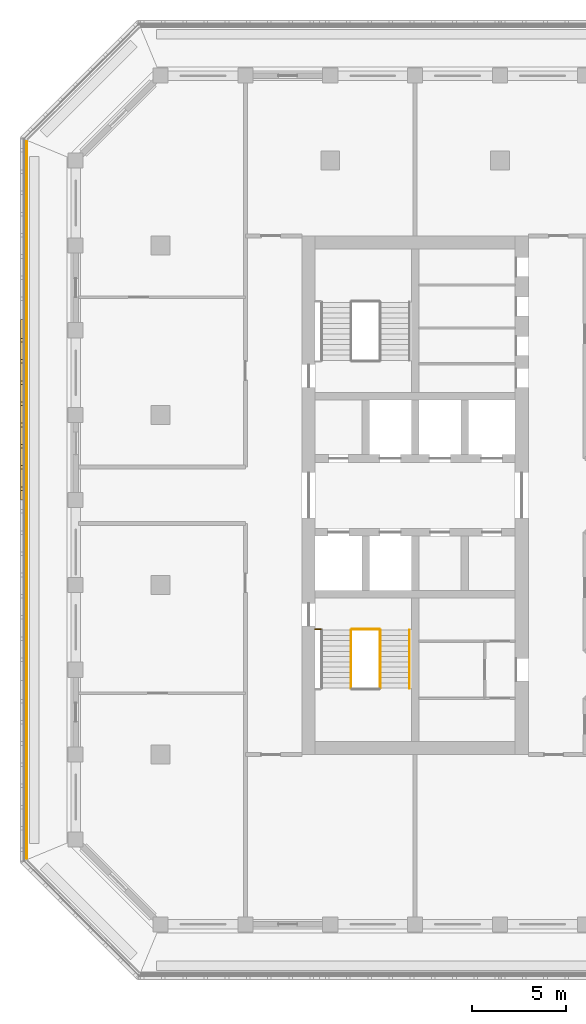
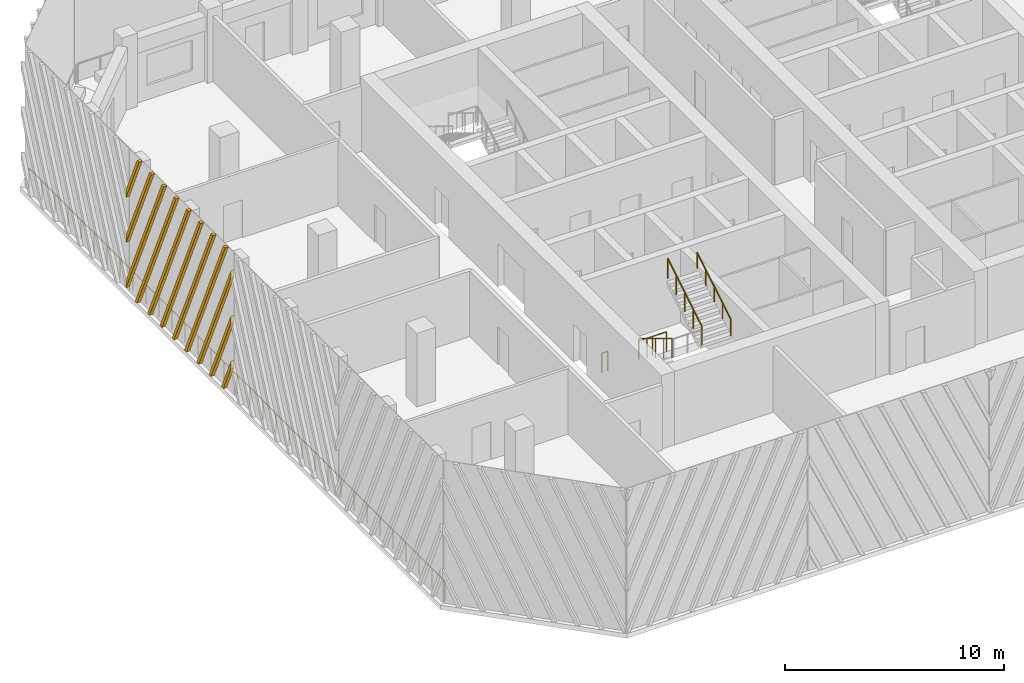
# One storey, part 10 of 15: 6 railings, 1 shading device.
"""IFC4 building model written with IfcOpenShell, lengths in metres."""

import ifcopenshell
import ifcopenshell.guid

model = None  # the IFC model being written
_history = None  # IfcOwnerHistory: only IFC2X3 demands one
_inside = {}  # id of a spatial element -> (the spatial element, [elements in it])
_under = {}  # id of a project, library or spatial element -> (it, [spatial elements below it])
_declared = {}  # id of a project -> (the project, [libraries it declares])
_typed = {}  # id of a type object -> (the type object, [elements of that type])
_made_of = {}  # id of a material, layer set ... -> (it, [elements and type objects made of it])


def new_model(schema):
    """Start an empty IFC model of exactly this schema.

    Asked for "IFC4X3", IfcOpenShell would pick the latest addendum, in which some entities
    have other attributes; the version numbers below select the first issue.
    IFC2X3 requires an IfcOwnerHistory on every rooted entity: one is made here for all.
    """
    global model, _history
    if schema == "IFC4X3":
        model = ifcopenshell.file(schema_version=(4, 3, 0, 0))
    else:
        model = ifcopenshell.file(schema=schema)
    _inside.clear()
    _under.clear()
    _declared.clear()
    _typed.clear()
    _made_of.clear()
    _history = None
    if model.schema == "IFC2X3":
        org = make("IfcOrganization", Name="unknown")
        user = make(
            "IfcPersonAndOrganization",
            ThePerson=make("IfcPerson", FamilyName="unknown"),
            TheOrganization=org,
        )
        app = make(
            "IfcApplication",
            ApplicationDeveloper=org,
            Version="unknown",
            ApplicationFullName="unknown",
            ApplicationIdentifier="unknown",
        )
        _history = make(
            "IfcOwnerHistory",
            OwningUser=user,
            OwningApplication=app,
            ChangeAction="ADDED",
            CreationDate=0,
        )
    return model


def make(cls, **values):
    """One entity of the class cls with the attributes given. An attribute that is None is left unset."""
    return model.create_entity(
        cls, **{name: value for name, value in values.items() if value is not None}
    )


def rooted(cls, **values):
    """An entity with a GlobalId (a new one), such as an element, a storey or a relation."""
    return make(cls, GlobalId=ifcopenshell.guid.new(), OwnerHistory=_history, **values)


def si_unit(unit_type, name, prefix=None):
    """IfcSIUnit, for example si_unit("LENGTHUNIT", "METRE", prefix="MILLI")."""
    return make("IfcSIUnit", UnitType=unit_type, Prefix=prefix, Name=name)


def assignment(units):
    """IfcUnitAssignment: the units of a project."""
    return None if units is None else make("IfcUnitAssignment", Units=units)


def point(xyz):
    """IfcCartesianPoint."""
    return None if xyz is None else make("IfcCartesianPoint", Coordinates=xyz)


def direction(xyz):
    """IfcDirection."""
    return None if xyz is None else make("IfcDirection", DirectionRatios=xyz)


def frame(location, z_axis=None, x_axis=None):
    """IfcAxis2Placement3D, a coordinate frame: its origin and axes. An axis left out is left unset."""
    return make(
        "IfcAxis2Placement3D",
        Location=point(location),
        Axis=direction(z_axis),
        RefDirection=direction(x_axis),
    )


def frame_2d(location, x_axis=None):
    """IfcAxis2Placement2D, a coordinate frame in the plane: its origin and x axis."""
    return make(
        "IfcAxis2Placement2D", Location=point(location), RefDirection=direction(x_axis)
    )


def origin():
    """The frame at (0, 0, 0) with its axes left unset."""
    return frame((0.0, 0.0, 0.0))


def origin_2d():
    """The frame at (0, 0) in the plane with its x axis left unset."""
    return frame_2d((0.0, 0.0))


def place(relative_to, where):
    """IfcLocalPlacement: puts the frame where relative to a parent placement (None: the world)."""
    return make(
        "IfcLocalPlacement", PlacementRelTo=relative_to, RelativePlacement=where
    )


def context(
    kind, dimensions, precision=None, world=None, true_north=None, identifier=None
):
    """IfcGeometricRepresentationContext, for example the 3D "Model" context."""
    return make(
        "IfcGeometricRepresentationContext",
        ContextIdentifier=identifier,
        ContextType=kind,
        CoordinateSpaceDimension=dimensions,
        Precision=precision,
        WorldCoordinateSystem=world,
        TrueNorth=true_north,
    )


def subcontext(parent, identifier, kind, view, scale=None):
    """IfcGeometricRepresentationSubContext, for example "Body" below "Model"."""
    return make(
        "IfcGeometricRepresentationSubContext",
        ContextIdentifier=identifier,
        ContextType=kind,
        ParentContext=parent,
        TargetScale=scale,
        TargetView=view,
    )


def project(units=None, contexts=None):
    """IfcProject with its units and contexts."""
    return rooted(
        "IfcProject",
        Name="project",
        RepresentationContexts=contexts,
        UnitsInContext=assignment(units),
    )


def spatial(cls, under=None, at=None, **own):
    """A site, building, storey or space (cls), placed at a placement, below another one or the project."""
    s = rooted(cls, ObjectPlacement=at, **own)
    if under is not None:
        _under.setdefault(under.id(), (under, []))[1].append(s)
    return s


def polyline(points):
    """IfcPolyline through the points."""
    return make("IfcPolyline", Points=[point(p) for p in points])


def profile(cls, at=None, kind="AREA", **sizes):
    """A parametric profile (cls). Its sizes go by their IFC names, for example OverallWidth=200.0."""
    return make(cls, ProfileType=kind, Position=at, **sizes)


def circle(**sizes):
    """IfcCircleProfileDef."""
    return profile("IfcCircleProfileDef", **sizes)


def outline(outer, holes=None, kind="AREA"):
    """IfcArbitraryClosedProfileDef: a profile drawn as a closed curve; with holes, ...WithVoids."""
    if holes is None:
        return make("IfcArbitraryClosedProfileDef", ProfileType=kind, OuterCurve=outer)
    return make(
        "IfcArbitraryProfileDefWithVoids",
        ProfileType=kind,
        OuterCurve=outer,
        InnerCurves=holes,
    )


def extrude(swept, where, along, depth):
    """IfcExtrudedAreaSolid: the profile swept, set in the frame where, extruded along a direction by depth."""
    return make(
        "IfcExtrudedAreaSolid",
        SweptArea=swept,
        Position=where,
        ExtrudedDirection=direction(along),
        Depth=depth,
    )


def shape(context_of_items, identifier, shape_type, items):
    """IfcShapeRepresentation: the items that make up one representation, for example the "Body"."""
    return make(
        "IfcShapeRepresentation",
        ContextOfItems=context_of_items,
        RepresentationIdentifier=identifier,
        RepresentationType=shape_type,
        Items=items,
    )


def source(mapping_origin, context_of_items, identifier, shape_type, items):
    """IfcRepresentationMap: a shape defined once, which mapped items show again and again."""
    return make(
        "IfcRepresentationMap",
        MappingOrigin=mapping_origin,
        MappedRepresentation=shape(context_of_items, identifier, shape_type, items),
    )


def transform(
    local_origin,
    x_axis=None,
    y_axis=None,
    z_axis=None,
    scale=None,
    scale2=None,
    scale3=None,
    uniform=True,
):
    """IfcCartesianTransformationOperator3D, or its non-uniform kind. x_axis, y_axis, z_axis: its Axis1, 2, 3."""
    if uniform:
        return make(
            "IfcCartesianTransformationOperator3D",
            Axis1=direction(x_axis),
            Axis2=direction(y_axis),
            LocalOrigin=point(local_origin),
            Scale=scale,
            Axis3=direction(z_axis),
        )
    return make(
        "IfcCartesianTransformationOperator3DnonUniform",
        Axis1=direction(x_axis),
        Axis2=direction(y_axis),
        LocalOrigin=point(local_origin),
        Scale=scale,
        Axis3=direction(z_axis),
        Scale2=scale2,
        Scale3=scale3,
    )


def mapped(mapping_source, mapping_target):
    """IfcMappedItem: shows the shape of a source again, moved by a transform."""
    return make(
        "IfcMappedItem", MappingSource=mapping_source, MappingTarget=mapping_target
    )


def material(Name=None, Category=None):
    """IfcMaterial."""
    return make("IfcMaterial", Name=Name, Category=Category)


def made_of(thing, what):
    """Note that an element or type object is made of a material, layer set ...; save() writes the relation."""
    if what is not None:
        _made_of.setdefault(what.id(), (what, []))[1].append(thing)
    return thing


def type_object(cls, material=None, **own):
    """A type object (cls), such as IfcWallType, which elements share."""
    return made_of(rooted(cls, **own), material)


def element(
    cls,
    number,
    at=None,
    inside=None,
    cuts=None,
    type_object=None,
    material=None,
    context=None,
    identifier="Body",
    shape_type=None,
    held_by="IfcProductDefinitionShape",
    body=None,
    shapes=None,
    **own,
):
    """One element of the class cls, such as IfcWall. Its Tag is "e" and its number.

    at: its placement. inside: the storey or other place that contains it. cuts: it is an
    opening in that element (IfcRelVoidsElement). A single representation is given by context,
    identifier, shape_type and body (its items); several are given by shapes. held_by: the class
    of the entity that holds the representations. save() writes the other relations.
    """
    e = rooted(cls, Tag="e%d" % number, ObjectPlacement=at, **own)
    if body is not None:
        shapes = [shape(context, identifier, shape_type, body)]
    if shapes is not None:
        e.Representation = make(held_by, Representations=shapes)
    if inside is not None:
        _inside.setdefault(inside.id(), (inside, []))[1].append(e)
    if cuts is not None:
        rooted(
            "IfcRelVoidsElement", RelatingBuildingElement=cuts, RelatedOpeningElement=e
        )
    if type_object is not None:
        _typed.setdefault(type_object.id(), (type_object, []))[1].append(e)
    return made_of(e, material)


def aggregate(whole, parts):
    """IfcRelAggregates: a whole, such as a stair, and the parts it consists of."""
    return rooted("IfcRelAggregates", RelatingObject=whole, RelatedObjects=parts)


def save(model, path):
    """Write the relations noted so far, then the file.

    IfcRelAggregates (storeys below a building ...), IfcRelContainedInSpatialStructure (elements
    in a storey), IfcRelDefinesByType, IfcRelAssociatesMaterial and IfcRelDeclares: one each for
    every whole, place, type object, material and project.
    """
    for whole, parts in _under.values():
        aggregate(whole, parts)
    for where, things in _inside.values():
        rooted(
            "IfcRelContainedInSpatialStructure",
            RelatedElements=things,
            RelatingStructure=where,
        )
    for kind, things in _typed.values():
        rooted("IfcRelDefinesByType", RelatedObjects=things, RelatingType=kind)
    for what, things in _made_of.values():
        rooted("IfcRelAssociatesMaterial", RelatedObjects=things, RelatingMaterial=what)
    for by, libraries in _declared.values():
        rooted("IfcRelDeclares", RelatingContext=by, RelatedDefinitions=libraries)
    model.write(path)


model = new_model("IFC4")

# Units and contexts
model_context = context("Model", 3, precision=1e-05, world=origin(), true_north=direction((0.0, 1.0)))
body_context = subcontext(model_context, "Body", "Model", "MODEL_VIEW")
ifc_project = project(units=[si_unit("LENGTHUNIT", "METRE"), si_unit("AREAUNIT", "SQUARE_METRE"), si_unit("VOLUMEUNIT", "CUBIC_METRE"), si_unit("PLANEANGLEUNIT", "RADIAN"), si_unit("MASSUNIT", "GRAM", prefix="KILO")], contexts=[model_context])

# Site, building, storey
site_placement = place(None, origin())
site = spatial("IfcSite", under=ifc_project, at=site_placement, CompositionType="ELEMENT")
building_placement = place(site_placement, origin())
building = spatial("IfcBuilding", under=site, at=building_placement, Name="Corbel Stack Research Tower", CompositionType="ELEMENT")
storey_placement = place(building_placement, frame((0.0, 0.0, 274.5)))
storey = spatial("IfcBuildingStorey", under=building, at=storey_placement, Name="L62", CompositionType="ELEMENT", Elevation=274.5)

# Railings
ifc_material_1 = material(Name="Steel S355", Category="steel")
railing_type_1 = type_object("IfcRailingType", Name="Stair guard 1100", PredefinedType="GUARDRAIL", material=ifc_material_1)
railing_1_placement = place(storey_placement, frame((-7.89990234375, -2.39990234375, 0.1708984375)))
element("IfcRailing", 1, at=railing_1_placement, inside=storey, type_object=railing_type_1, Name="L62 ST-W1 stair guard 1", PredefinedType="GUARDRAIL", context=body_context, shape_type="SweptSolid", body=[
    extrude(circle(Radius=0.02392578125, at=origin_2d()), frame((0.0, 0.0, 1.076171875), z_axis=(0.0, -0.853666305674, 0.52082035152), x_axis=(1.0, 0.0, 0.0)), (0.0, 0.0, 1.0), 3.608154296875),
    extrude(circle(Radius=0.02099609375, at=origin_2d()), origin(), (0.0, 0.0, 1.0), 1.052001953125),
    extrude(circle(Radius=0.02099609375, at=origin_2d()), frame((0.0, -0.77001953125, 0.4697265625)), (0.0, 0.0, 1.0), 1.052001953125),
    extrude(circle(Radius=0.02099609375, at=origin_2d()), frame((0.0, -1.5400390625, 0.939453125)), (0.0, 0.0, 1.0), 1.052001953125),
    extrude(circle(Radius=0.02099609375, at=origin_2d()), frame((0.0, -2.31005859375, 1.409423828125)), (0.0, 0.0, 1.0), 1.052001953125),
    extrude(circle(Radius=0.02099609375, at=origin_2d()), frame((0.0, -3.080078125, 1.879150390625)), (0.0, 0.0, 1.0), 1.052001953125),
])
railing_2_placement = place(storey_placement, frame((-6.35009765625, -5.47998046875, 2.220947265625)))
element("IfcRailing", 2, at=railing_2_placement, inside=storey, type_object=railing_type_1, Name="L62 ST-W1 stair guard 4", PredefinedType="GUARDRAIL", context=body_context, shape_type="SweptSolid", body=[
    extrude(circle(Radius=0.02392578125, at=origin_2d()), frame((0.0, 0.0, 1.076171875), z_axis=(0.0, 0.853666305674, 0.52082035152), x_axis=(-1.0, 0.0, 0.0)), (0.0, 0.0, 1.0), 3.608154296875),
    extrude(circle(Radius=0.02099609375, at=origin_2d()), origin(), (0.0, 0.0, 1.0), 1.052001953125),
    extrude(circle(Radius=0.02099609375, at=origin_2d()), frame((0.0, 0.77001953125, 0.4697265625)), (0.0, 0.0, 1.0), 1.052001953125),
    extrude(circle(Radius=0.02099609375, at=origin_2d()), frame((0.0, 1.5400390625, 0.939453125)), (0.0, 0.0, 1.0), 1.052001953125),
    extrude(circle(Radius=0.02099609375, at=origin_2d()), frame((0.0, 2.31005859375, 1.409423828125)), (0.0, 0.0, 1.0), 1.052001953125),
    extrude(circle(Radius=0.02099609375, at=origin_2d()), frame((0.0, 3.080078125, 1.879150390625)), (0.0, 0.0, 1.0), 1.052001953125),
])
railing_3_placement = place(storey_placement, frame((-7.85009765625, -2.35009765625, 0.0)))
element("IfcRailing", 3, at=railing_3_placement, inside=storey, type_object=railing_type_1, Name="L62 ST-W1 stair guard 5", PredefinedType="GUARDRAIL", context=body_context, shape_type="SweptSolid", body=[
    extrude(circle(Radius=0.02392578125, at=origin_2d()), frame((0.0, 0.0, 1.076171875), z_axis=(1.0, 0.0, 0.0), x_axis=(0.0, 1.0, 0.0)), (0.0, 0.0, 1.0), 1.4501953125),
    extrude(circle(Radius=0.02099609375, at=origin_2d()), origin(), (0.0, 0.0, 1.0), 1.052001953125),
    extrude(circle(Radius=0.02099609375, at=origin_2d()), frame((0.72509765625, 0.0, 0.0)), (0.0, 0.0, 1.0), 1.052001953125),
    extrude(circle(Radius=0.02099609375, at=origin_2d()), frame((1.4501953125, 0.0, 0.0)), (0.0, 0.0, 1.0), 1.052001953125),
])
railing_4_placement = place(storey_placement, frame((-9.800048828125, -2.35009765625, 0.0)))
element("IfcRailing", 4, at=railing_4_placement, inside=storey, type_object=railing_type_1, Name="L62 ST-W1 stair guard 6", PredefinedType="GUARDRAIL", context=body_context, shape_type="SweptSolid", body=[
    extrude(circle(Radius=0.02392578125, at=origin_2d()), frame((0.0, 0.0, 1.076171875), z_axis=(1.0, 0.0, 0.0), x_axis=(0.0, 1.0, 0.0)), (0.0, 0.0, 1.0), 0.300048828125),
    extrude(circle(Radius=0.02099609375, at=origin_2d()), origin(), (0.0, 0.0, 1.0), 1.052001953125),
    extrude(circle(Radius=0.02099609375, at=origin_2d()), frame((0.300048828125, 0.0, 0.0)), (0.0, 0.0, 1.0), 1.052001953125),
])
ifc_material_2 = material(Name="Steel S355", Category="steel")
railing_type_2 = type_object("IfcRailingType", Name="Stair handrail 900", PredefinedType="HANDRAIL", material=ifc_material_2)
railing_5_placement = place(storey_placement, frame((-4.800048828125, -5.47998046875, 2.220947265625)))
element("IfcRailing", 5, at=railing_5_placement, inside=storey, type_object=railing_type_2, Name="L62 ST-W1 stair handrail 2", PredefinedType="HANDRAIL", context=body_context, shape_type="SweptSolid", body=[
    extrude(circle(Radius=0.02392578125, at=origin_2d()), frame((0.0, 0.0, 0.8759765625), z_axis=(0.0, 0.853666305674, 0.52082035152), x_axis=(-1.0, 0.0, 0.0)), (0.0, 0.0, 1.0), 3.608154296875),
    extrude(circle(Radius=0.02099609375, at=origin_2d()), origin(), (0.0, 0.0, 1.0), 0.851806640625),
    extrude(circle(Radius=0.02099609375, at=origin_2d()), frame((0.0, 0.77001953125, 0.4697265625)), (0.0, 0.0, 1.0), 0.851806640625),
    extrude(circle(Radius=0.02099609375, at=origin_2d()), frame((0.0, 1.5400390625, 0.939453125)), (0.0, 0.0, 1.0), 0.851806640625),
    extrude(circle(Radius=0.02099609375, at=origin_2d()), frame((0.0, 2.31005859375, 1.409423828125)), (0.0, 0.0, 1.0), 0.851806640625),
    extrude(circle(Radius=0.02099609375, at=origin_2d()), frame((0.0, 3.080078125, 1.879150390625)), (0.0, 0.0, 1.0), 0.851806640625),
])
ifc_material_3 = material(Name="Powder-coated steel guard", Category="steel")
railing_type_3 = type_object("IfcRailingType", Name="Steel and glass guard 1100", PredefinedType="GUARDRAIL", material=ifc_material_3)
railing_6_placement = place(storey_placement, frame((-25.10009765625, 23.50537109375, 0.0)))
element("IfcRailing", 6, at=railing_6_placement, inside=storey, type_object=railing_type_3, Name="Loggia guard L62 W", PredefinedType="GUARDRAIL", context=body_context, shape_type="SweptSolid", body=[
    extrude(circle(Radius=0.02392578125, at=origin_2d()), frame((0.0, 0.0, 1.076171875), z_axis=(0.0, -1.0, 0.0), x_axis=(1.0, 0.0, 0.0)), (0.0, 0.0, 1.0), 38.0107421875),
    extrude(circle(Radius=0.02099609375, at=origin_2d()), origin(), (0.0, 0.0, 1.0), 1.052001953125),
    extrude(circle(Radius=0.02099609375, at=origin_2d()), frame((0.0, -1.187744140625, 0.0)), (0.0, 0.0, 1.0), 1.052001953125),
    extrude(circle(Radius=0.02099609375, at=origin_2d()), frame((0.0, -2.375732421875, 0.0)), (0.0, 0.0, 1.0), 1.052001953125),
    extrude(circle(Radius=0.02099609375, at=origin_2d()), frame((0.0, -3.5634765625, 0.0)), (0.0, 0.0, 1.0), 1.052001953125),
    extrude(circle(Radius=0.02099609375, at=origin_2d()), frame((0.0, -4.75146484375, 0.0)), (0.0, 0.0, 1.0), 1.052001953125),
    extrude(circle(Radius=0.02099609375, at=origin_2d()), frame((0.0, -5.939208984375, 0.0)), (0.0, 0.0, 1.0), 1.052001953125),
    extrude(circle(Radius=0.02099609375, at=origin_2d()), frame((0.0, -7.126953125, 0.0)), (0.0, 0.0, 1.0), 1.052001953125),
    extrude(circle(Radius=0.02099609375, at=origin_2d()), frame((0.0, -8.31494140625, 0.0)), (0.0, 0.0, 1.0), 1.052001953125),
    extrude(circle(Radius=0.02099609375, at=origin_2d()), frame((0.0, -9.502685546875, 0.0)), (0.0, 0.0, 1.0), 1.052001953125),
    extrude(circle(Radius=0.02099609375, at=origin_2d()), frame((0.0, -10.6904296875, 0.0)), (0.0, 0.0, 1.0), 1.052001953125),
    extrude(circle(Radius=0.02099609375, at=origin_2d()), frame((0.0, -11.87841796875, 0.0)), (0.0, 0.0, 1.0), 1.052001953125),
    extrude(circle(Radius=0.02099609375, at=origin_2d()), frame((0.0, -13.066162109375, 0.0)), (0.0, 0.0, 1.0), 1.052001953125),
    extrude(circle(Radius=0.02099609375, at=origin_2d()), frame((0.0, -14.25390625, 0.0)), (0.0, 0.0, 1.0), 1.052001953125),
    extrude(circle(Radius=0.02099609375, at=origin_2d()), frame((0.0, -15.44189453125, 0.0)), (0.0, 0.0, 1.0), 1.052001953125),
    extrude(circle(Radius=0.02099609375, at=origin_2d()), frame((0.0, -16.629638671875, 0.0)), (0.0, 0.0, 1.0), 1.052001953125),
    extrude(circle(Radius=0.02099609375, at=origin_2d()), frame((0.0, -17.817626953125, 0.0)), (0.0, 0.0, 1.0), 1.052001953125),
    extrude(circle(Radius=0.02099609375, at=origin_2d()), frame((0.0, -19.00537109375, 0.0)), (0.0, 0.0, 1.0), 1.052001953125),
    extrude(circle(Radius=0.02099609375, at=origin_2d()), frame((0.0, -20.193115234375, 0.0)), (0.0, 0.0, 1.0), 1.052001953125),
    extrude(circle(Radius=0.02099609375, at=origin_2d()), frame((0.0, -21.381103515625, 0.0)), (0.0, 0.0, 1.0), 1.052001953125),
    extrude(circle(Radius=0.02099609375, at=origin_2d()), frame((0.0, -22.56884765625, 0.0)), (0.0, 0.0, 1.0), 1.052001953125),
    extrude(circle(Radius=0.02099609375, at=origin_2d()), frame((0.0, -23.7568359375, 0.0)), (0.0, 0.0, 1.0), 1.052001953125),
    extrude(circle(Radius=0.02099609375, at=origin_2d()), frame((0.0, -24.944580078125, 0.0)), (0.0, 0.0, 1.0), 1.052001953125),
    extrude(circle(Radius=0.02099609375, at=origin_2d()), frame((0.0, -26.13232421875, 0.0)), (0.0, 0.0, 1.0), 1.052001953125),
    extrude(circle(Radius=0.02099609375, at=origin_2d()), frame((0.0, -27.3203125, 0.0)), (0.0, 0.0, 1.0), 1.052001953125),
    extrude(circle(Radius=0.02099609375, at=origin_2d()), frame((0.0, -28.508056640625, 0.0)), (0.0, 0.0, 1.0), 1.052001953125),
    extrude(circle(Radius=0.02099609375, at=origin_2d()), frame((0.0, -29.69580078125, 0.0)), (0.0, 0.0, 1.0), 1.052001953125),
    extrude(circle(Radius=0.02099609375, at=origin_2d()), frame((0.0, -30.8837890625, 0.0)), (0.0, 0.0, 1.0), 1.052001953125),
    extrude(circle(Radius=0.02099609375, at=origin_2d()), frame((0.0, -32.071533203125, 0.0)), (0.0, 0.0, 1.0), 1.052001953125),
    extrude(circle(Radius=0.02099609375, at=origin_2d()), frame((0.0, -33.25927734375, 0.0)), (0.0, 0.0, 1.0), 1.052001953125),
    extrude(circle(Radius=0.02099609375, at=origin_2d()), frame((0.0, -34.447265625, 0.0)), (0.0, 0.0, 1.0), 1.052001953125),
    extrude(circle(Radius=0.02099609375, at=origin_2d()), frame((0.0, -35.635009765625, 0.0)), (0.0, 0.0, 1.0), 1.052001953125),
    extrude(circle(Radius=0.02099609375, at=origin_2d()), frame((0.0, -36.822998046875, 0.0)), (0.0, 0.0, 1.0), 1.052001953125),
    extrude(circle(Radius=0.02099609375, at=origin_2d()), frame((0.0, -38.0107421875, 0.0)), (0.0, 0.0, 1.0), 1.052001953125),
])

# Shading device
ifc_material_4 = material(Name="Precast terracotta", Category="masonry")
shading_device_type = type_object("IfcShadingDeviceType", Name="Terracotta screen panel", PredefinedType="USERDEFINED", material=ifc_material_4)
shared_shape = source(origin(), body_context, "Body", "SweptSolid", [
    extrude(outline(polyline([(1.18701171875, 7.949951171875), (0.9970703125, 7.949951171875), (0.0, 5.710693359375), (0.0, 5.283935546875), (1.18701171875, 7.949951171875)])), frame((0.0, 0.0, 0.0), z_axis=(0.0, -1.0, 0.0), x_axis=(1.0, 0.0, 0.0)), (0.0, 0.0, 1.0), 0.179931640625),
    extrude(outline(polyline([(2.31201171875, 7.949951171875), (2.1220703125, 7.949951171875), (0.0, 3.18408203125), (0.0, 2.757080078125), (2.31201171875, 7.949951171875)])), frame((0.0, 0.0, 0.0), z_axis=(0.0, -1.0, 0.0), x_axis=(1.0, 0.0, 0.0)), (0.0, 0.0, 1.0), 0.179931640625),
    extrude(outline(polyline([(3.43701171875, 7.949951171875), (3.2470703125, 7.949951171875), (0.0, 0.6572265625), (0.0, 0.23046875), (3.43701171875, 7.949951171875)])), frame((0.0, 0.0, 0.0), z_axis=(0.0, -1.0, 0.0), x_axis=(1.0, 0.0, 0.0)), (0.0, 0.0, 1.0), 0.179931640625),
    extrude(outline(polyline([(1.0224609375, 0.0), (4.56201171875, 7.949951171875), (4.3720703125, 7.949951171875), (0.83251953125, 0.0), (1.0224609375, 0.0)])), frame((0.0, 0.0, 0.0), z_axis=(0.0, -1.0, 0.0), x_axis=(1.0, 0.0, 0.0)), (0.0, 0.0, 1.0), 0.179931640625),
    extrude(outline(polyline([(2.1474609375, 0.0), (5.68701171875, 7.949951171875), (5.4970703125, 7.949951171875), (1.95751953125, 0.0), (2.1474609375, 0.0)])), frame((0.0, 0.0, 0.0), z_axis=(0.0, -1.0, 0.0), x_axis=(1.0, 0.0, 0.0)), (0.0, 0.0, 1.0), 0.179931640625),
    extrude(outline(polyline([(3.2724609375, 0.0), (6.81201171875, 7.949951171875), (6.6220703125, 7.949951171875), (3.08251953125, 0.0), (3.2724609375, 0.0)])), frame((0.0, 0.0, 0.0), z_axis=(0.0, -1.0, 0.0), x_axis=(1.0, 0.0, 0.0)), (0.0, 0.0, 1.0), 0.179931640625),
    extrude(outline(polyline([(4.3974609375, 0.0), (7.93701171875, 7.949951171875), (7.7470703125, 7.949951171875), (4.20751953125, 0.0), (4.3974609375, 0.0)])), frame((0.0, 0.0, 0.0), z_axis=(0.0, -1.0, 0.0), x_axis=(1.0, 0.0, 0.0)), (0.0, 0.0, 1.0), 0.179931640625),
    extrude(outline(polyline([(5.5224609375, 0.0), (9.06201171875, 7.949951171875), (8.8720703125, 7.949951171875), (5.33251953125, 0.0), (5.5224609375, 0.0)])), frame((0.0, 0.0, 0.0), z_axis=(0.0, -1.0, 0.0), x_axis=(1.0, 0.0, 0.0)), (0.0, 0.0, 1.0), 0.179931640625),
    extrude(outline(polyline([(6.6474609375, 0.0), (9.569580078125, 6.563232421875), (9.569580078125, 6.989990234375), (6.45751953125, 0.0), (6.6474609375, 0.0)])), frame((0.0, 0.0, 0.0), z_axis=(0.0, -1.0, 0.0), x_axis=(1.0, 0.0, 0.0)), (0.0, 0.0, 1.0), 0.179931640625),
    extrude(outline(polyline([(7.7724609375, 0.0), (9.569580078125, 4.036376953125), (9.569580078125, 4.463134765625), (7.58251953125, 0.0), (7.7724609375, 0.0)])), frame((0.0, 0.0, 0.0), z_axis=(0.0, -1.0, 0.0), x_axis=(1.0, 0.0, 0.0)), (0.0, 0.0, 1.0), 0.179931640625),
    extrude(outline(polyline([(8.8974609375, 0.0), (9.569580078125, 1.509521484375), (9.569580078125, 1.936279296875), (8.70751953125, 0.0), (8.8974609375, 0.0)])), frame((0.0, 0.0, 0.0), z_axis=(0.0, -1.0, 0.0), x_axis=(1.0, 0.0, 0.0)), (0.0, 0.0, 1.0), 0.179931640625),
])
shading_device_placement = place(storey_placement, frame((-25.25, 14.069580078125, 0.0), z_axis=(0.0, 0.0, 1.0), x_axis=(0.0, -1.0, 0.0)))
element("IfcShadingDevice", 7, at=shading_device_placement, inside=storey, type_object=shading_device_type, Name="Terracotta screen L62 W2", ObjectType="SCREEN", PredefinedType="USERDEFINED", context=body_context, shape_type="MappedRepresentation", body=[
    mapped(shared_shape, transform((0.0, 0.0, 0.0))),
])

save(model, "model.ifc")
